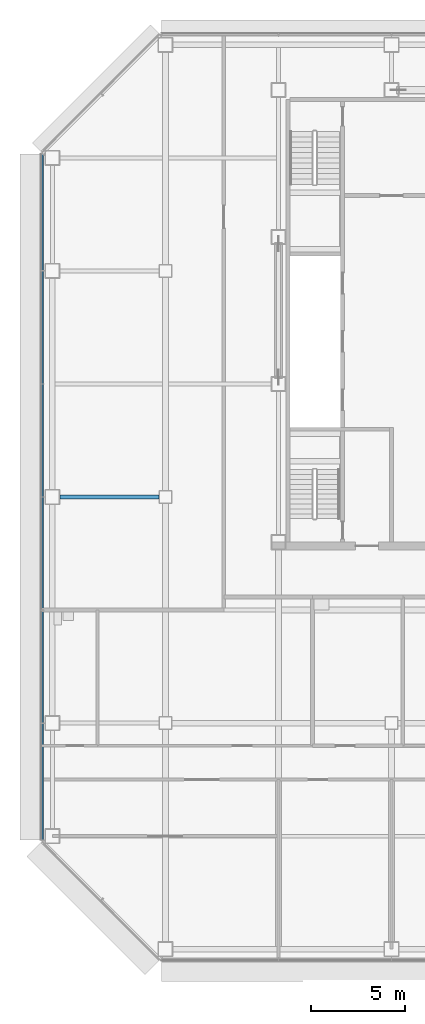
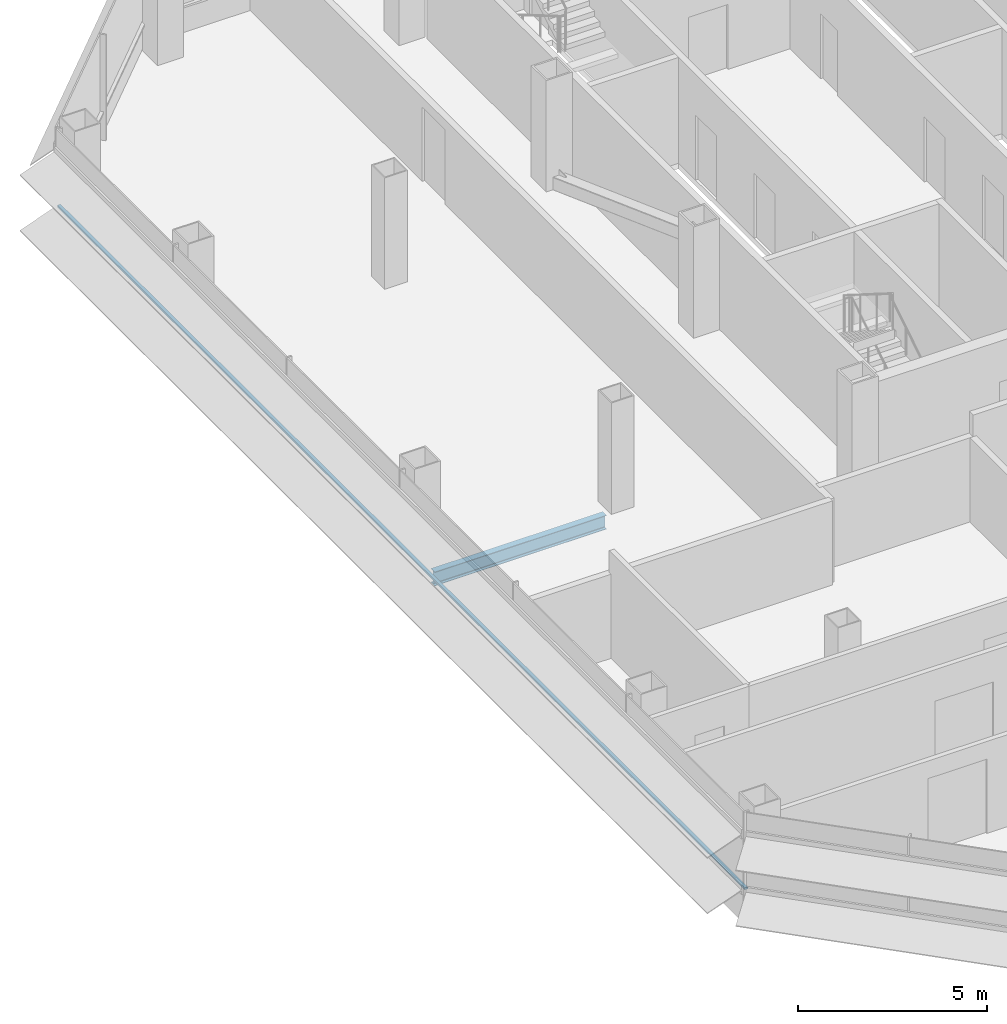
# One storey, part 5 of 25: 1 beam, 1 member, 1 element without a shape of its own.
"""IFC4 building model written with IfcOpenShell, lengths in metres."""

from ifc_helpers import new_model, si_unit, direction, frame, origin, origin_2d, place, context, subcontext, project, spatial, rectangle, i_section, extrude, material, material_profile, profile_set, type_object, element, aggregate, save


model = new_model("IFC4")

# Units and contexts
model_context = context("Model", 3, precision=1e-05, world=origin(), true_north=direction((0.0, 1.0)))
body_context = subcontext(model_context, "Body", "Model", "MODEL_VIEW")
ifc_project = project(units=[si_unit("LENGTHUNIT", "METRE"), si_unit("AREAUNIT", "SQUARE_METRE"), si_unit("VOLUMEUNIT", "CUBIC_METRE"), si_unit("PLANEANGLEUNIT", "RADIAN"), si_unit("MASSUNIT", "GRAM", prefix="KILO")], contexts=[model_context])

# Site, building, storey
site_placement = place(None, origin())
site = spatial("IfcSite", under=ifc_project, at=site_placement, CompositionType="ELEMENT")
building_placement = place(site_placement, origin())
building = spatial("IfcBuilding", under=site, at=building_placement, Name="Sorahane Residences", CompositionType="ELEMENT")
storey_placement = place(building_placement, frame((0.0, 0.0, 99.800048828125)))
storey = spatial("IfcBuildingStorey", under=building, at=storey_placement, Name="L21", CompositionType="ELEMENT", Elevation=99.800048828125)

# Curtain wall, member
ifc_material_1 = material(Name="Dark low-e glass and black anodised aluminium", Category="aluminium")
curtain_wall_type = type_object("IfcCurtainWallType", Name="Curtain wall CW-1 Typical unitised wall", PredefinedType="NOTDEFINED", material=ifc_material_1)
curtain_wall_placement = place(storey_placement, origin())
curtain_wall = element("IfcCurtainWall", 1, at=curtain_wall_placement, inside=storey, type_object=curtain_wall_type, Name="CW-1 curtain wall L21 W1", PredefinedType="NOTDEFINED")
ifc_material_2 = material(Name="Black anodised aluminium", Category="aluminium")
ifc_material_profile_1 = material_profile(ifc_material_2, rectangle(XDim=0.10009765625, YDim=0.06005859375, at=origin_2d()), Name="Curtain wall transom CW-1 black anodised aluminium 60x100")
ifc_profile_set_1 = profile_set([ifc_material_profile_1], Name="Black anodised aluminium")
member_type = type_object("IfcMemberType", Name="Curtain wall transom CW-1 black anodised aluminium 60x100", PredefinedType="USERDEFINED", material=ifc_profile_set_1)
member_placement = place(storey_placement, frame((-6.530029296875, 42.198486328125, 0.89990234375), z_axis=(0.0, -1.0, 0.0), x_axis=(1.0, 0.0, 0.0)))
member = element("IfcMember", 2, at=member_placement, type_object=member_type, Name="CW-1 transom L21 W1", ObjectType="TRANSOM", PredefinedType="USERDEFINED", context=body_context, shape_type="SweptSolid", body=[
    extrude(rectangle(XDim=0.10009765625, YDim=0.06005859375, at=origin_2d()), origin(), (0.0, 0.0, 1.0), 36.39697265625),
])
aggregate(curtain_wall, [member])

# Beam
ifc_material_3 = material(Name="Steel Q355B", Category="steel")
ifc_material_profile_2 = material_profile(ifc_material_3, i_section(OverallWidth=0.199951171875, OverallDepth=0.449951171875, WebThickness=0.009033203125, FlangeThickness=0.013916015625, FilletRadius=0.02001953125, at=origin_2d()), Name="HN 450x200x9x14")
ifc_profile_set_2 = profile_set([ifc_material_profile_2], Name="Steel Q355B")
beam_type = type_object("IfcBeamType", Name="Steel floor beam HN 450x200x9x14 Q355B", PredefinedType="BEAM", material=ifc_profile_set_2)
beam_placement = place(storey_placement, frame((-5.60009765625, 24.0, -0.405029296875), z_axis=(1.0, 0.0, 0.0), x_axis=(0.0, 1.0, 0.0)))
element("IfcBeam", 3, at=beam_placement, inside=storey, type_object=beam_type, Name="Beam L21 011", PredefinedType="BEAM", context=body_context, shape_type="SweptSolid", body=[
    extrude(i_section(OverallWidth=0.199951171875, OverallDepth=0.449951171875, WebThickness=0.009033203125, FlangeThickness=0.013916015625, FilletRadius=0.02001953125, at=origin_2d()), origin(), (0.0, 0.0, 1.0), 5.25),
])

save(model, "model.ifc")
